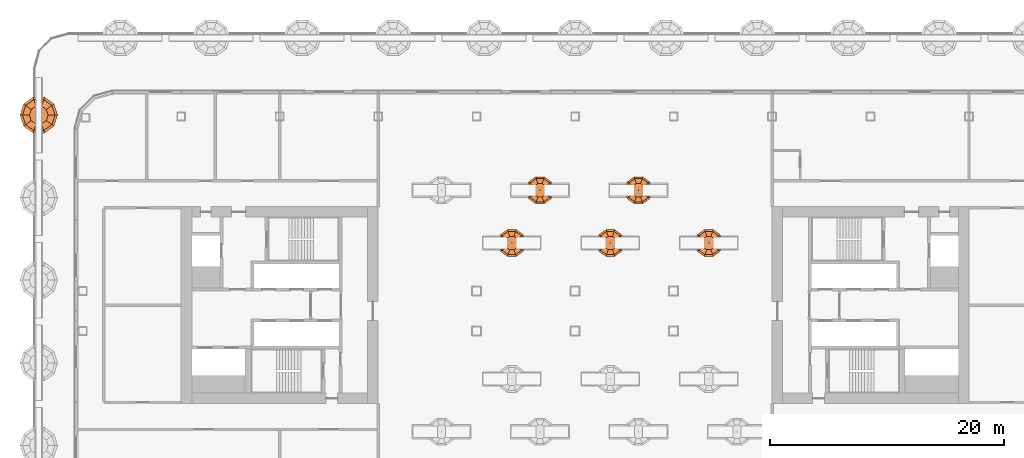
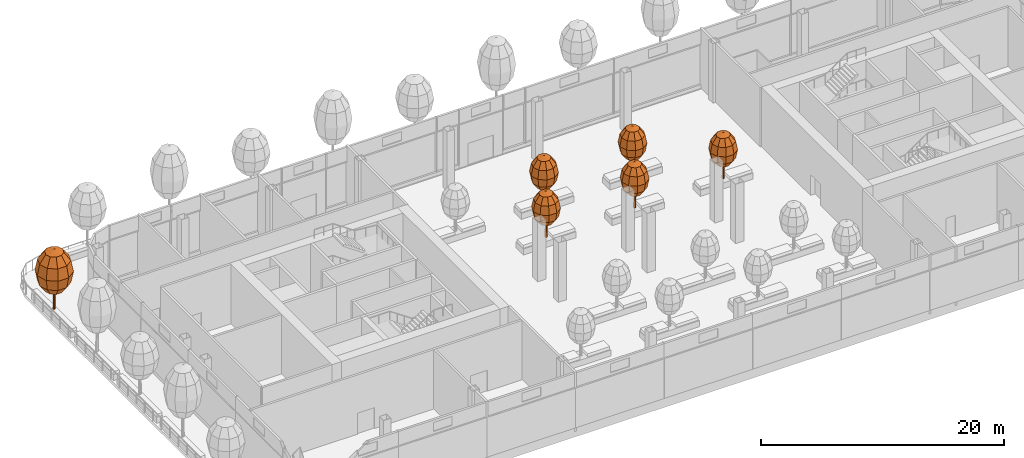
# One storey, part 40 of 43: 6 geographic elements.
"""IFC4 building model written with IfcOpenShell, lengths in metres."""

import ifcopenshell
import ifcopenshell.guid

model = None  # the IFC model being written
_history = None  # IfcOwnerHistory: only IFC2X3 demands one
_inside = {}  # id of a spatial element -> (the spatial element, [elements in it])
_under = {}  # id of a project, library or spatial element -> (it, [spatial elements below it])
_declared = {}  # id of a project -> (the project, [libraries it declares])
_typed = {}  # id of a type object -> (the type object, [elements of that type])
_made_of = {}  # id of a material, layer set ... -> (it, [elements and type objects made of it])


def new_model(schema):
    """Start an empty IFC model of exactly this schema.

    Asked for "IFC4X3", IfcOpenShell would pick the latest addendum, in which some entities
    have other attributes; the version numbers below select the first issue.
    IFC2X3 requires an IfcOwnerHistory on every rooted entity: one is made here for all.
    """
    global model, _history
    if schema == "IFC4X3":
        model = ifcopenshell.file(schema_version=(4, 3, 0, 0))
    else:
        model = ifcopenshell.file(schema=schema)
    _inside.clear()
    _under.clear()
    _declared.clear()
    _typed.clear()
    _made_of.clear()
    _history = None
    if model.schema == "IFC2X3":
        org = make("IfcOrganization", Name="unknown")
        user = make(
            "IfcPersonAndOrganization",
            ThePerson=make("IfcPerson", FamilyName="unknown"),
            TheOrganization=org,
        )
        app = make(
            "IfcApplication",
            ApplicationDeveloper=org,
            Version="unknown",
            ApplicationFullName="unknown",
            ApplicationIdentifier="unknown",
        )
        _history = make(
            "IfcOwnerHistory",
            OwningUser=user,
            OwningApplication=app,
            ChangeAction="ADDED",
            CreationDate=0,
        )
    return model


def make(cls, **values):
    """One entity of the class cls with the attributes given. An attribute that is None is left unset."""
    return model.create_entity(
        cls, **{name: value for name, value in values.items() if value is not None}
    )


def rooted(cls, **values):
    """An entity with a GlobalId (a new one), such as an element, a storey or a relation."""
    return make(cls, GlobalId=ifcopenshell.guid.new(), OwnerHistory=_history, **values)


def si_unit(unit_type, name, prefix=None):
    """IfcSIUnit, for example si_unit("LENGTHUNIT", "METRE", prefix="MILLI")."""
    return make("IfcSIUnit", UnitType=unit_type, Prefix=prefix, Name=name)


def assignment(units):
    """IfcUnitAssignment: the units of a project."""
    return None if units is None else make("IfcUnitAssignment", Units=units)


def point(xyz):
    """IfcCartesianPoint."""
    return None if xyz is None else make("IfcCartesianPoint", Coordinates=xyz)


def direction(xyz):
    """IfcDirection."""
    return None if xyz is None else make("IfcDirection", DirectionRatios=xyz)


def frame(location, z_axis=None, x_axis=None):
    """IfcAxis2Placement3D, a coordinate frame: its origin and axes. An axis left out is left unset."""
    return make(
        "IfcAxis2Placement3D",
        Location=point(location),
        Axis=direction(z_axis),
        RefDirection=direction(x_axis),
    )


def origin():
    """The frame at (0, 0, 0) with its axes left unset."""
    return frame((0.0, 0.0, 0.0))


def place(relative_to, where):
    """IfcLocalPlacement: puts the frame where relative to a parent placement (None: the world)."""
    return make(
        "IfcLocalPlacement", PlacementRelTo=relative_to, RelativePlacement=where
    )


def context(
    kind, dimensions, precision=None, world=None, true_north=None, identifier=None
):
    """IfcGeometricRepresentationContext, for example the 3D "Model" context."""
    return make(
        "IfcGeometricRepresentationContext",
        ContextIdentifier=identifier,
        ContextType=kind,
        CoordinateSpaceDimension=dimensions,
        Precision=precision,
        WorldCoordinateSystem=world,
        TrueNorth=true_north,
    )


def subcontext(parent, identifier, kind, view, scale=None):
    """IfcGeometricRepresentationSubContext, for example "Body" below "Model"."""
    return make(
        "IfcGeometricRepresentationSubContext",
        ContextIdentifier=identifier,
        ContextType=kind,
        ParentContext=parent,
        TargetScale=scale,
        TargetView=view,
    )


def project(units=None, contexts=None):
    """IfcProject with its units and contexts."""
    return rooted(
        "IfcProject",
        Name="project",
        RepresentationContexts=contexts,
        UnitsInContext=assignment(units),
    )


def spatial(cls, under=None, at=None, **own):
    """A site, building, storey or space (cls), placed at a placement, below another one or the project."""
    s = rooted(cls, ObjectPlacement=at, **own)
    if under is not None:
        _under.setdefault(under.id(), (under, []))[1].append(s)
    return s


def point_list(points):
    """IfcCartesianPointList2D or 3D."""
    cls = (
        "IfcCartesianPointList2D" if len(points[0]) == 2 else "IfcCartesianPointList3D"
    )
    return make(cls, CoordList=points)


def triangles(points, corners, closed=None, point_numbers=None):
    """IfcTriangulatedFaceSet: each triangle names its three corners, points numbered from 1."""
    return make(
        "IfcTriangulatedFaceSet",
        Coordinates=point_list(points),
        Closed=closed,
        CoordIndex=corners,
        PnIndex=point_numbers,
    )


def shape(context_of_items, identifier, shape_type, items):
    """IfcShapeRepresentation: the items that make up one representation, for example the "Body"."""
    return make(
        "IfcShapeRepresentation",
        ContextOfItems=context_of_items,
        RepresentationIdentifier=identifier,
        RepresentationType=shape_type,
        Items=items,
    )


def material(Name=None, Category=None):
    """IfcMaterial."""
    return make("IfcMaterial", Name=Name, Category=Category)


def made_of(thing, what):
    """Note that an element or type object is made of a material, layer set ...; save() writes the relation."""
    if what is not None:
        _made_of.setdefault(what.id(), (what, []))[1].append(thing)
    return thing


def type_object(cls, material=None, **own):
    """A type object (cls), such as IfcWallType, which elements share."""
    return made_of(rooted(cls, **own), material)


def element(
    cls,
    number,
    at=None,
    inside=None,
    cuts=None,
    type_object=None,
    material=None,
    context=None,
    identifier="Body",
    shape_type=None,
    held_by="IfcProductDefinitionShape",
    body=None,
    shapes=None,
    **own,
):
    """One element of the class cls, such as IfcWall. Its Tag is "e" and its number.

    at: its placement. inside: the storey or other place that contains it. cuts: it is an
    opening in that element (IfcRelVoidsElement). A single representation is given by context,
    identifier, shape_type and body (its items); several are given by shapes. held_by: the class
    of the entity that holds the representations. save() writes the other relations.
    """
    e = rooted(cls, Tag="e%d" % number, ObjectPlacement=at, **own)
    if body is not None:
        shapes = [shape(context, identifier, shape_type, body)]
    if shapes is not None:
        e.Representation = make(held_by, Representations=shapes)
    if inside is not None:
        _inside.setdefault(inside.id(), (inside, []))[1].append(e)
    if cuts is not None:
        rooted(
            "IfcRelVoidsElement", RelatingBuildingElement=cuts, RelatedOpeningElement=e
        )
    if type_object is not None:
        _typed.setdefault(type_object.id(), (type_object, []))[1].append(e)
    return made_of(e, material)


def aggregate(whole, parts):
    """IfcRelAggregates: a whole, such as a stair, and the parts it consists of."""
    return rooted("IfcRelAggregates", RelatingObject=whole, RelatedObjects=parts)


def save(model, path):
    """Write the relations noted so far, then the file.

    IfcRelAggregates (storeys below a building ...), IfcRelContainedInSpatialStructure (elements
    in a storey), IfcRelDefinesByType, IfcRelAssociatesMaterial and IfcRelDeclares: one each for
    every whole, place, type object, material and project.
    """
    for whole, parts in _under.values():
        aggregate(whole, parts)
    for where, things in _inside.values():
        rooted(
            "IfcRelContainedInSpatialStructure",
            RelatedElements=things,
            RelatingStructure=where,
        )
    for kind, things in _typed.values():
        rooted("IfcRelDefinesByType", RelatedObjects=things, RelatingType=kind)
    for what, things in _made_of.values():
        rooted("IfcRelAssociatesMaterial", RelatedObjects=things, RelatingMaterial=what)
    for by, libraries in _declared.values():
        rooted("IfcRelDeclares", RelatingContext=by, RelatedDefinitions=libraries)
    model.write(path)


model = new_model("IFC4")

# Units and contexts
model_context = context("Model", 3, precision=1e-05, world=origin(), true_north=direction((0.0, 1.0)))
body_context = subcontext(model_context, "Body", "Model", "MODEL_VIEW")
ifc_project = project(units=[si_unit("LENGTHUNIT", "METRE"), si_unit("AREAUNIT", "SQUARE_METRE"), si_unit("VOLUMEUNIT", "CUBIC_METRE"), si_unit("PLANEANGLEUNIT", "RADIAN"), si_unit("MASSUNIT", "GRAM", prefix="KILO")], contexts=[model_context])

# Site, building, storey
site_placement = place(None, origin())
site = spatial("IfcSite", under=ifc_project, at=site_placement, CompositionType="ELEMENT")
building_placement = place(site_placement, origin())
building = spatial("IfcBuilding", under=site, at=building_placement, Name="Hakoniwa Tower and Hamabe Station Hall", CompositionType="ELEMENT")
storey_placement = place(building_placement, frame((0.0, 0.0, 124.60009765625)))
storey = spatial("IfcBuildingStorey", under=building, at=storey_placement, Name="L35", CompositionType="ELEMENT", Elevation=124.60009765625)

# Geographic elements
ifc_material_1 = material(Name="Tree foliage")
geographic_element_type_1 = type_object("IfcGeographicElementType", Name="Camellia 4.6 m", PredefinedType="USERDEFINED", material=ifc_material_1)
geographic_element_1_placement = place(storey_placement, frame((-5.39990234375, 5.300048828125, 0.599853515625)))
element("IfcGeographicElement", 1, at=geographic_element_1_placement, inside=storey, type_object=geographic_element_type_1, Name="Camellia 4-6 m", ObjectType="TREE", PredefinedType="USERDEFINED", context=body_context, shape_type="Tessellation", body=[
    triangles([(0.125, 0.0, 0.0), (0.08837890625, 0.08837890625, 0.0), (0.0, 0.125, 0.0), (-0.08837890625, 0.08837890625, 0.0), (-0.125, 0.0, 0.0), (-0.08837890625, -0.08837890625, 0.0), (0.0, -0.125, 0.0), (0.08837890625, -0.08837890625, 0.0), (0.074951171875, 0.0, 2.778564453125), (0.052978515625, 0.052978515625, 2.778564453125), (0.0, 0.074951171875, 2.778564453125), (-0.052978515625, 0.052978515625, 2.778564453125), (-0.074951171875, 0.0, 2.778564453125), (-0.052978515625, -0.052978515625, 2.778564453125), (0.0, -0.074951171875, 2.778564453125), (0.052978515625, -0.052978515625, 2.778564453125), (0.0, 0.0, 0.0), (0.0, 0.0, 2.778564453125)], [[1, 2, 10], [1, 10, 9], [17, 2, 1], [18, 9, 10], [2, 3, 11], [2, 11, 10], [17, 3, 2], [18, 10, 11], [3, 4, 12], [3, 12, 11], [17, 4, 3], [18, 11, 12], [4, 5, 13], [4, 13, 12], [17, 5, 4], [18, 12, 13], [5, 6, 14], [5, 14, 13], [17, 6, 5], [18, 13, 14], [6, 7, 15], [6, 15, 14], [17, 7, 6], [18, 14, 15], [7, 8, 16], [7, 16, 15], [17, 8, 7], [18, 15, 16], [8, 1, 9], [8, 9, 16], [17, 1, 8], [18, 16, 9]], closed=True),
    triangles([(0.0, 0.0, 1.2880859375), (0.599853515625, 0.0, 1.510009765625), (0.4853515625, 0.3525390625, 1.510009765625), (0.185302734375, 0.570556640625, 1.510009765625), (-0.185302734375, 0.570556640625, 1.510009765625), (-0.4853515625, 0.3525390625, 1.510009765625), (-0.599853515625, 0.0, 1.510009765625), (-0.4853515625, -0.3525390625, 1.510009765625), (-0.185302734375, -0.570556640625, 1.510009765625), (0.185302734375, -0.570556640625, 1.510009765625), (0.4853515625, -0.3525390625, 1.510009765625), (1.039306640625, 0.0, 2.115966796875), (0.8408203125, 0.61083984375, 2.115966796875), (0.321044921875, 0.98828125, 2.115966796875), (-0.321044921875, 0.98828125, 2.115966796875), (-0.8408203125, 0.61083984375, 2.115966796875), (-1.039306640625, 0.0, 2.115966796875), (-0.8408203125, -0.61083984375, 2.115966796875), (-0.321044921875, -0.98828125, 2.115966796875), (0.321044921875, -0.98828125, 2.115966796875), (0.8408203125, -0.61083984375, 2.115966796875), (1.199951171875, 0.0, 2.944091796875), (0.970703125, 0.705322265625, 2.944091796875), (0.370849609375, 1.14111328125, 2.944091796875), (-0.370849609375, 1.14111328125, 2.944091796875), (-0.970703125, 0.705322265625, 2.944091796875), (-1.199951171875, 0.0, 2.944091796875), (-0.970703125, -0.705322265625, 2.944091796875), (-0.370849609375, -1.14111328125, 2.944091796875), (0.370849609375, -1.14111328125, 2.944091796875), (0.970703125, -0.705322265625, 2.944091796875), (1.039306640625, 0.0, 3.77197265625), (0.8408203125, 0.61083984375, 3.77197265625), (0.321044921875, 0.98828125, 3.77197265625), (-0.321044921875, 0.98828125, 3.77197265625), (-0.8408203125, 0.61083984375, 3.77197265625), (-1.039306640625, 0.0, 3.77197265625), (-0.8408203125, -0.61083984375, 3.77197265625), (-0.321044921875, -0.98828125, 3.77197265625), (0.321044921875, -0.98828125, 3.77197265625), (0.8408203125, -0.61083984375, 3.77197265625), (0.599853515625, 0.0, 4.378173828125), (0.4853515625, 0.3525390625, 4.378173828125), (0.185302734375, 0.570556640625, 4.378173828125), (-0.185302734375, 0.570556640625, 4.378173828125), (-0.4853515625, 0.3525390625, 4.378173828125), (-0.599853515625, 0.0, 4.378173828125), (-0.4853515625, -0.3525390625, 4.378173828125), (-0.185302734375, -0.570556640625, 4.378173828125), (0.185302734375, -0.570556640625, 4.378173828125), (0.4853515625, -0.3525390625, 4.378173828125), (0.0, 0.0, 4.60009765625)], [[1, 3, 2], [1, 4, 3], [1, 5, 4], [1, 6, 5], [1, 7, 6], [1, 8, 7], [1, 9, 8], [1, 10, 9], [1, 11, 10], [1, 2, 11], [2, 3, 13], [2, 13, 12], [3, 4, 14], [3, 14, 13], [4, 5, 15], [4, 15, 14], [5, 6, 16], [5, 16, 15], [6, 7, 17], [6, 17, 16], [7, 8, 18], [7, 18, 17], [8, 9, 19], [8, 19, 18], [9, 10, 20], [9, 20, 19], [10, 11, 21], [10, 21, 20], [11, 2, 12], [11, 12, 21], [12, 13, 23], [12, 23, 22], [13, 14, 24], [13, 24, 23], [14, 15, 25], [14, 25, 24], [15, 16, 26], [15, 26, 25], [16, 17, 27], [16, 27, 26], [17, 18, 28], [17, 28, 27], [18, 19, 29], [18, 29, 28], [19, 20, 30], [19, 30, 29], [20, 21, 31], [20, 31, 30], [21, 12, 22], [21, 22, 31], [22, 23, 33], [22, 33, 32], [23, 24, 34], [23, 34, 33], [24, 25, 35], [24, 35, 34], [25, 26, 36], [25, 36, 35], [26, 27, 37], [26, 37, 36], [27, 28, 38], [27, 38, 37], [28, 29, 39], [28, 39, 38], [29, 30, 40], [29, 40, 39], [30, 31, 41], [30, 41, 40], [31, 22, 32], [31, 32, 41], [32, 33, 43], [32, 43, 42], [33, 34, 44], [33, 44, 43], [34, 35, 45], [34, 45, 44], [35, 36, 46], [35, 46, 45], [36, 37, 47], [36, 47, 46], [37, 38, 48], [37, 48, 47], [38, 39, 49], [38, 49, 48], [39, 40, 50], [39, 50, 49], [40, 41, 51], [40, 51, 50], [41, 32, 42], [41, 42, 51], [52, 42, 43], [52, 43, 44], [52, 44, 45], [52, 45, 46], [52, 46, 47], [52, 47, 48], [52, 48, 49], [52, 49, 50], [52, 50, 51], [52, 51, 42]], closed=True),
])
geographic_element_2_placement = place(storey_placement, frame((3.0, 5.300048828125, 0.599853515625)))
element("IfcGeographicElement", 2, at=geographic_element_2_placement, inside=storey, type_object=geographic_element_type_1, Name="Camellia 4-6 m", ObjectType="TREE", PredefinedType="USERDEFINED", context=body_context, shape_type="Tessellation", body=[
    triangles([(0.125, 0.0, 0.0), (0.08837890625, 0.08837890625, 0.0), (0.0, 0.125, 0.0), (-0.08837890625, 0.08837890625, 0.0), (-0.125, 0.0, 0.0), (-0.08837890625, -0.08837890625, 0.0), (0.0, -0.125, 0.0), (0.08837890625, -0.08837890625, 0.0), (0.074951171875, 0.0, 2.778564453125), (0.052978515625, 0.052978515625, 2.778564453125), (0.0, 0.074951171875, 2.778564453125), (-0.052978515625, 0.052978515625, 2.778564453125), (-0.074951171875, 0.0, 2.778564453125), (-0.052978515625, -0.052978515625, 2.778564453125), (0.0, -0.074951171875, 2.778564453125), (0.052978515625, -0.052978515625, 2.778564453125), (0.0, 0.0, 0.0), (0.0, 0.0, 2.778564453125)], [[1, 2, 10], [1, 10, 9], [17, 2, 1], [18, 9, 10], [2, 3, 11], [2, 11, 10], [17, 3, 2], [18, 10, 11], [3, 4, 12], [3, 12, 11], [17, 4, 3], [18, 11, 12], [4, 5, 13], [4, 13, 12], [17, 5, 4], [18, 12, 13], [5, 6, 14], [5, 14, 13], [17, 6, 5], [18, 13, 14], [6, 7, 15], [6, 15, 14], [17, 7, 6], [18, 14, 15], [7, 8, 16], [7, 16, 15], [17, 8, 7], [18, 15, 16], [8, 1, 9], [8, 9, 16], [17, 1, 8], [18, 16, 9]], closed=True),
    triangles([(0.0, 0.0, 1.2880859375), (0.599853515625, 0.0, 1.510009765625), (0.4853515625, 0.3525390625, 1.510009765625), (0.185302734375, 0.570556640625, 1.510009765625), (-0.185302734375, 0.570556640625, 1.510009765625), (-0.4853515625, 0.3525390625, 1.510009765625), (-0.599853515625, 0.0, 1.510009765625), (-0.4853515625, -0.3525390625, 1.510009765625), (-0.185302734375, -0.570556640625, 1.510009765625), (0.185302734375, -0.570556640625, 1.510009765625), (0.4853515625, -0.3525390625, 1.510009765625), (1.039306640625, 0.0, 2.115966796875), (0.8408203125, 0.61083984375, 2.115966796875), (0.321044921875, 0.98828125, 2.115966796875), (-0.321044921875, 0.98828125, 2.115966796875), (-0.8408203125, 0.61083984375, 2.115966796875), (-1.039306640625, 0.0, 2.115966796875), (-0.8408203125, -0.61083984375, 2.115966796875), (-0.321044921875, -0.98828125, 2.115966796875), (0.321044921875, -0.98828125, 2.115966796875), (0.8408203125, -0.61083984375, 2.115966796875), (1.199951171875, 0.0, 2.944091796875), (0.970703125, 0.705322265625, 2.944091796875), (0.370849609375, 1.14111328125, 2.944091796875), (-0.370849609375, 1.14111328125, 2.944091796875), (-0.970703125, 0.705322265625, 2.944091796875), (-1.199951171875, 0.0, 2.944091796875), (-0.970703125, -0.705322265625, 2.944091796875), (-0.370849609375, -1.14111328125, 2.944091796875), (0.370849609375, -1.14111328125, 2.944091796875), (0.970703125, -0.705322265625, 2.944091796875), (1.039306640625, 0.0, 3.77197265625), (0.8408203125, 0.61083984375, 3.77197265625), (0.321044921875, 0.98828125, 3.77197265625), (-0.321044921875, 0.98828125, 3.77197265625), (-0.8408203125, 0.61083984375, 3.77197265625), (-1.039306640625, 0.0, 3.77197265625), (-0.8408203125, -0.61083984375, 3.77197265625), (-0.321044921875, -0.98828125, 3.77197265625), (0.321044921875, -0.98828125, 3.77197265625), (0.8408203125, -0.61083984375, 3.77197265625), (0.599853515625, 0.0, 4.378173828125), (0.4853515625, 0.3525390625, 4.378173828125), (0.185302734375, 0.570556640625, 4.378173828125), (-0.185302734375, 0.570556640625, 4.378173828125), (-0.4853515625, 0.3525390625, 4.378173828125), (-0.599853515625, 0.0, 4.378173828125), (-0.4853515625, -0.3525390625, 4.378173828125), (-0.185302734375, -0.570556640625, 4.378173828125), (0.185302734375, -0.570556640625, 4.378173828125), (0.4853515625, -0.3525390625, 4.378173828125), (0.0, 0.0, 4.60009765625)], [[1, 3, 2], [1, 4, 3], [1, 5, 4], [1, 6, 5], [1, 7, 6], [1, 8, 7], [1, 9, 8], [1, 10, 9], [1, 11, 10], [1, 2, 11], [2, 3, 13], [2, 13, 12], [3, 4, 14], [3, 14, 13], [4, 5, 15], [4, 15, 14], [5, 6, 16], [5, 16, 15], [6, 7, 17], [6, 17, 16], [7, 8, 18], [7, 18, 17], [8, 9, 19], [8, 19, 18], [9, 10, 20], [9, 20, 19], [10, 11, 21], [10, 21, 20], [11, 2, 12], [11, 12, 21], [12, 13, 23], [12, 23, 22], [13, 14, 24], [13, 24, 23], [14, 15, 25], [14, 25, 24], [15, 16, 26], [15, 26, 25], [16, 17, 27], [16, 27, 26], [17, 18, 28], [17, 28, 27], [18, 19, 29], [18, 29, 28], [19, 20, 30], [19, 30, 29], [20, 21, 31], [20, 31, 30], [21, 12, 22], [21, 22, 31], [22, 23, 33], [22, 33, 32], [23, 24, 34], [23, 34, 33], [24, 25, 35], [24, 35, 34], [25, 26, 36], [25, 36, 35], [26, 27, 37], [26, 37, 36], [27, 28, 38], [27, 38, 37], [28, 29, 39], [28, 39, 38], [29, 30, 40], [29, 40, 39], [30, 31, 41], [30, 41, 40], [31, 22, 32], [31, 32, 41], [32, 33, 43], [32, 43, 42], [33, 34, 44], [33, 44, 43], [34, 35, 45], [34, 45, 44], [35, 36, 46], [35, 46, 45], [36, 37, 47], [36, 47, 46], [37, 38, 48], [37, 48, 47], [38, 39, 49], [38, 49, 48], [39, 40, 50], [39, 50, 49], [40, 41, 51], [40, 51, 50], [41, 32, 42], [41, 42, 51], [52, 42, 43], [52, 43, 44], [52, 44, 45], [52, 45, 46], [52, 46, 47], [52, 47, 48], [52, 48, 49], [52, 49, 50], [52, 50, 51], [52, 51, 42]], closed=True),
])
geographic_element_3_placement = place(storey_placement, frame((11.39990234375, 5.300048828125, 0.599853515625)))
element("IfcGeographicElement", 3, at=geographic_element_3_placement, inside=storey, type_object=geographic_element_type_1, Name="Camellia 4-6 m", ObjectType="TREE", PredefinedType="USERDEFINED", context=body_context, shape_type="Tessellation", body=[
    triangles([(0.125, 0.0, 0.0), (0.08837890625, 0.08837890625, 0.0), (0.0, 0.125, 0.0), (-0.08837890625, 0.08837890625, 0.0), (-0.125, 0.0, 0.0), (-0.08837890625, -0.08837890625, 0.0), (0.0, -0.125, 0.0), (0.08837890625, -0.08837890625, 0.0), (0.074951171875, 0.0, 2.778564453125), (0.052978515625, 0.052978515625, 2.778564453125), (0.0, 0.074951171875, 2.778564453125), (-0.052978515625, 0.052978515625, 2.778564453125), (-0.074951171875, 0.0, 2.778564453125), (-0.052978515625, -0.052978515625, 2.778564453125), (0.0, -0.074951171875, 2.778564453125), (0.052978515625, -0.052978515625, 2.778564453125), (0.0, 0.0, 0.0), (0.0, 0.0, 2.778564453125)], [[1, 2, 10], [1, 10, 9], [17, 2, 1], [18, 9, 10], [2, 3, 11], [2, 11, 10], [17, 3, 2], [18, 10, 11], [3, 4, 12], [3, 12, 11], [17, 4, 3], [18, 11, 12], [4, 5, 13], [4, 13, 12], [17, 5, 4], [18, 12, 13], [5, 6, 14], [5, 14, 13], [17, 6, 5], [18, 13, 14], [6, 7, 15], [6, 15, 14], [17, 7, 6], [18, 14, 15], [7, 8, 16], [7, 16, 15], [17, 8, 7], [18, 15, 16], [8, 1, 9], [8, 9, 16], [17, 1, 8], [18, 16, 9]], closed=True),
    triangles([(0.0, 0.0, 1.2880859375), (0.599853515625, 0.0, 1.510009765625), (0.4853515625, 0.3525390625, 1.510009765625), (0.185302734375, 0.570556640625, 1.510009765625), (-0.185302734375, 0.570556640625, 1.510009765625), (-0.4853515625, 0.3525390625, 1.510009765625), (-0.599853515625, 0.0, 1.510009765625), (-0.4853515625, -0.3525390625, 1.510009765625), (-0.185302734375, -0.570556640625, 1.510009765625), (0.185302734375, -0.570556640625, 1.510009765625), (0.4853515625, -0.3525390625, 1.510009765625), (1.039306640625, 0.0, 2.115966796875), (0.8408203125, 0.61083984375, 2.115966796875), (0.321044921875, 0.98828125, 2.115966796875), (-0.321044921875, 0.98828125, 2.115966796875), (-0.8408203125, 0.61083984375, 2.115966796875), (-1.039306640625, 0.0, 2.115966796875), (-0.8408203125, -0.61083984375, 2.115966796875), (-0.321044921875, -0.98828125, 2.115966796875), (0.321044921875, -0.98828125, 2.115966796875), (0.8408203125, -0.61083984375, 2.115966796875), (1.199951171875, 0.0, 2.944091796875), (0.970703125, 0.705322265625, 2.944091796875), (0.370849609375, 1.14111328125, 2.944091796875), (-0.370849609375, 1.14111328125, 2.944091796875), (-0.970703125, 0.705322265625, 2.944091796875), (-1.199951171875, 0.0, 2.944091796875), (-0.970703125, -0.705322265625, 2.944091796875), (-0.370849609375, -1.14111328125, 2.944091796875), (0.370849609375, -1.14111328125, 2.944091796875), (0.970703125, -0.705322265625, 2.944091796875), (1.039306640625, 0.0, 3.77197265625), (0.8408203125, 0.61083984375, 3.77197265625), (0.321044921875, 0.98828125, 3.77197265625), (-0.321044921875, 0.98828125, 3.77197265625), (-0.8408203125, 0.61083984375, 3.77197265625), (-1.039306640625, 0.0, 3.77197265625), (-0.8408203125, -0.61083984375, 3.77197265625), (-0.321044921875, -0.98828125, 3.77197265625), (0.321044921875, -0.98828125, 3.77197265625), (0.8408203125, -0.61083984375, 3.77197265625), (0.599853515625, 0.0, 4.378173828125), (0.4853515625, 0.3525390625, 4.378173828125), (0.185302734375, 0.570556640625, 4.378173828125), (-0.185302734375, 0.570556640625, 4.378173828125), (-0.4853515625, 0.3525390625, 4.378173828125), (-0.599853515625, 0.0, 4.378173828125), (-0.4853515625, -0.3525390625, 4.378173828125), (-0.185302734375, -0.570556640625, 4.378173828125), (0.185302734375, -0.570556640625, 4.378173828125), (0.4853515625, -0.3525390625, 4.378173828125), (0.0, 0.0, 4.60009765625)], [[1, 3, 2], [1, 4, 3], [1, 5, 4], [1, 6, 5], [1, 7, 6], [1, 8, 7], [1, 9, 8], [1, 10, 9], [1, 11, 10], [1, 2, 11], [2, 3, 13], [2, 13, 12], [3, 4, 14], [3, 14, 13], [4, 5, 15], [4, 15, 14], [5, 6, 16], [5, 16, 15], [6, 7, 17], [6, 17, 16], [7, 8, 18], [7, 18, 17], [8, 9, 19], [8, 19, 18], [9, 10, 20], [9, 20, 19], [10, 11, 21], [10, 21, 20], [11, 2, 12], [11, 12, 21], [12, 13, 23], [12, 23, 22], [13, 14, 24], [13, 24, 23], [14, 15, 25], [14, 25, 24], [15, 16, 26], [15, 26, 25], [16, 17, 27], [16, 27, 26], [17, 18, 28], [17, 28, 27], [18, 19, 29], [18, 29, 28], [19, 20, 30], [19, 30, 29], [20, 21, 31], [20, 31, 30], [21, 12, 22], [21, 22, 31], [22, 23, 33], [22, 33, 32], [23, 24, 34], [23, 34, 33], [24, 25, 35], [24, 35, 34], [25, 26, 36], [25, 36, 35], [26, 27, 37], [26, 37, 36], [27, 28, 38], [27, 38, 37], [28, 29, 39], [28, 39, 38], [29, 30, 40], [29, 40, 39], [30, 31, 41], [30, 41, 40], [31, 22, 32], [31, 32, 41], [32, 33, 43], [32, 43, 42], [33, 34, 44], [33, 44, 43], [34, 35, 45], [34, 45, 44], [35, 36, 46], [35, 46, 45], [36, 37, 47], [36, 47, 46], [37, 38, 48], [37, 48, 47], [38, 39, 49], [38, 49, 48], [39, 40, 50], [39, 50, 49], [40, 41, 51], [40, 51, 50], [41, 32, 42], [41, 42, 51], [52, 42, 43], [52, 43, 44], [52, 44, 45], [52, 45, 46], [52, 46, 47], [52, 47, 48], [52, 48, 49], [52, 49, 50], [52, 50, 51], [52, 51, 42]], closed=True),
])
geographic_element_4_placement = place(storey_placement, frame((-3.0, 9.800048828125, 0.599853515625)))
element("IfcGeographicElement", 4, at=geographic_element_4_placement, inside=storey, type_object=geographic_element_type_1, Name="Camellia 4-6 m", ObjectType="TREE", PredefinedType="USERDEFINED", context=body_context, shape_type="Tessellation", body=[
    triangles([(0.125, 0.0, 0.0), (0.08837890625, 0.08837890625, 0.0), (0.0, 0.125, 0.0), (-0.08837890625, 0.08837890625, 0.0), (-0.125, 0.0, 0.0), (-0.08837890625, -0.08837890625, 0.0), (0.0, -0.125, 0.0), (0.08837890625, -0.08837890625, 0.0), (0.074951171875, 0.0, 2.778564453125), (0.052978515625, 0.052978515625, 2.778564453125), (0.0, 0.074951171875, 2.778564453125), (-0.052978515625, 0.052978515625, 2.778564453125), (-0.074951171875, 0.0, 2.778564453125), (-0.052978515625, -0.052978515625, 2.778564453125), (0.0, -0.074951171875, 2.778564453125), (0.052978515625, -0.052978515625, 2.778564453125), (0.0, 0.0, 0.0), (0.0, 0.0, 2.778564453125)], [[1, 2, 10], [1, 10, 9], [17, 2, 1], [18, 9, 10], [2, 3, 11], [2, 11, 10], [17, 3, 2], [18, 10, 11], [3, 4, 12], [3, 12, 11], [17, 4, 3], [18, 11, 12], [4, 5, 13], [4, 13, 12], [17, 5, 4], [18, 12, 13], [5, 6, 14], [5, 14, 13], [17, 6, 5], [18, 13, 14], [6, 7, 15], [6, 15, 14], [17, 7, 6], [18, 14, 15], [7, 8, 16], [7, 16, 15], [17, 8, 7], [18, 15, 16], [8, 1, 9], [8, 9, 16], [17, 1, 8], [18, 16, 9]], closed=True),
    triangles([(0.0, 0.0, 1.2880859375), (0.599853515625, 0.0, 1.510009765625), (0.4853515625, 0.3525390625, 1.510009765625), (0.185302734375, 0.570556640625, 1.510009765625), (-0.185302734375, 0.570556640625, 1.510009765625), (-0.4853515625, 0.3525390625, 1.510009765625), (-0.599853515625, 0.0, 1.510009765625), (-0.4853515625, -0.3525390625, 1.510009765625), (-0.185302734375, -0.570556640625, 1.510009765625), (0.185302734375, -0.570556640625, 1.510009765625), (0.4853515625, -0.3525390625, 1.510009765625), (1.039306640625, 0.0, 2.115966796875), (0.8408203125, 0.61083984375, 2.115966796875), (0.321044921875, 0.98828125, 2.115966796875), (-0.321044921875, 0.98828125, 2.115966796875), (-0.8408203125, 0.61083984375, 2.115966796875), (-1.039306640625, 0.0, 2.115966796875), (-0.8408203125, -0.61083984375, 2.115966796875), (-0.321044921875, -0.98828125, 2.115966796875), (0.321044921875, -0.98828125, 2.115966796875), (0.8408203125, -0.61083984375, 2.115966796875), (1.199951171875, 0.0, 2.944091796875), (0.970703125, 0.705322265625, 2.944091796875), (0.370849609375, 1.14111328125, 2.944091796875), (-0.370849609375, 1.14111328125, 2.944091796875), (-0.970703125, 0.705322265625, 2.944091796875), (-1.199951171875, 0.0, 2.944091796875), (-0.970703125, -0.705322265625, 2.944091796875), (-0.370849609375, -1.14111328125, 2.944091796875), (0.370849609375, -1.14111328125, 2.944091796875), (0.970703125, -0.705322265625, 2.944091796875), (1.039306640625, 0.0, 3.77197265625), (0.8408203125, 0.61083984375, 3.77197265625), (0.321044921875, 0.98828125, 3.77197265625), (-0.321044921875, 0.98828125, 3.77197265625), (-0.8408203125, 0.61083984375, 3.77197265625), (-1.039306640625, 0.0, 3.77197265625), (-0.8408203125, -0.61083984375, 3.77197265625), (-0.321044921875, -0.98828125, 3.77197265625), (0.321044921875, -0.98828125, 3.77197265625), (0.8408203125, -0.61083984375, 3.77197265625), (0.599853515625, 0.0, 4.378173828125), (0.4853515625, 0.3525390625, 4.378173828125), (0.185302734375, 0.570556640625, 4.378173828125), (-0.185302734375, 0.570556640625, 4.378173828125), (-0.4853515625, 0.3525390625, 4.378173828125), (-0.599853515625, 0.0, 4.378173828125), (-0.4853515625, -0.3525390625, 4.378173828125), (-0.185302734375, -0.570556640625, 4.378173828125), (0.185302734375, -0.570556640625, 4.378173828125), (0.4853515625, -0.3525390625, 4.378173828125), (0.0, 0.0, 4.60009765625)], [[1, 3, 2], [1, 4, 3], [1, 5, 4], [1, 6, 5], [1, 7, 6], [1, 8, 7], [1, 9, 8], [1, 10, 9], [1, 11, 10], [1, 2, 11], [2, 3, 13], [2, 13, 12], [3, 4, 14], [3, 14, 13], [4, 5, 15], [4, 15, 14], [5, 6, 16], [5, 16, 15], [6, 7, 17], [6, 17, 16], [7, 8, 18], [7, 18, 17], [8, 9, 19], [8, 19, 18], [9, 10, 20], [9, 20, 19], [10, 11, 21], [10, 21, 20], [11, 2, 12], [11, 12, 21], [12, 13, 23], [12, 23, 22], [13, 14, 24], [13, 24, 23], [14, 15, 25], [14, 25, 24], [15, 16, 26], [15, 26, 25], [16, 17, 27], [16, 27, 26], [17, 18, 28], [17, 28, 27], [18, 19, 29], [18, 29, 28], [19, 20, 30], [19, 30, 29], [20, 21, 31], [20, 31, 30], [21, 12, 22], [21, 22, 31], [22, 23, 33], [22, 33, 32], [23, 24, 34], [23, 34, 33], [24, 25, 35], [24, 35, 34], [25, 26, 36], [25, 36, 35], [26, 27, 37], [26, 37, 36], [27, 28, 38], [27, 38, 37], [28, 29, 39], [28, 39, 38], [29, 30, 40], [29, 40, 39], [30, 31, 41], [30, 41, 40], [31, 22, 32], [31, 32, 41], [32, 33, 43], [32, 43, 42], [33, 34, 44], [33, 44, 43], [34, 35, 45], [34, 45, 44], [35, 36, 46], [35, 46, 45], [36, 37, 47], [36, 47, 46], [37, 38, 48], [37, 48, 47], [38, 39, 49], [38, 49, 48], [39, 40, 50], [39, 50, 49], [40, 41, 51], [40, 51, 50], [41, 32, 42], [41, 42, 51], [52, 42, 43], [52, 43, 44], [52, 44, 45], [52, 45, 46], [52, 46, 47], [52, 47, 48], [52, 48, 49], [52, 49, 50], [52, 50, 51], [52, 51, 42]], closed=True),
])
geographic_element_5_placement = place(storey_placement, frame((5.39990234375, 9.800048828125, 0.599853515625)))
element("IfcGeographicElement", 5, at=geographic_element_5_placement, inside=storey, type_object=geographic_element_type_1, Name="Camellia 4-6 m", ObjectType="TREE", PredefinedType="USERDEFINED", context=body_context, shape_type="Tessellation", body=[
    triangles([(0.125, 0.0, 0.0), (0.08837890625, 0.08837890625, 0.0), (0.0, 0.125, 0.0), (-0.08837890625, 0.08837890625, 0.0), (-0.125, 0.0, 0.0), (-0.08837890625, -0.08837890625, 0.0), (0.0, -0.125, 0.0), (0.08837890625, -0.08837890625, 0.0), (0.074951171875, 0.0, 2.778564453125), (0.052978515625, 0.052978515625, 2.778564453125), (0.0, 0.074951171875, 2.778564453125), (-0.052978515625, 0.052978515625, 2.778564453125), (-0.074951171875, 0.0, 2.778564453125), (-0.052978515625, -0.052978515625, 2.778564453125), (0.0, -0.074951171875, 2.778564453125), (0.052978515625, -0.052978515625, 2.778564453125), (0.0, 0.0, 0.0), (0.0, 0.0, 2.778564453125)], [[1, 2, 10], [1, 10, 9], [17, 2, 1], [18, 9, 10], [2, 3, 11], [2, 11, 10], [17, 3, 2], [18, 10, 11], [3, 4, 12], [3, 12, 11], [17, 4, 3], [18, 11, 12], [4, 5, 13], [4, 13, 12], [17, 5, 4], [18, 12, 13], [5, 6, 14], [5, 14, 13], [17, 6, 5], [18, 13, 14], [6, 7, 15], [6, 15, 14], [17, 7, 6], [18, 14, 15], [7, 8, 16], [7, 16, 15], [17, 8, 7], [18, 15, 16], [8, 1, 9], [8, 9, 16], [17, 1, 8], [18, 16, 9]], closed=True),
    triangles([(0.0, 0.0, 1.2880859375), (0.599853515625, 0.0, 1.510009765625), (0.4853515625, 0.3525390625, 1.510009765625), (0.185302734375, 0.570556640625, 1.510009765625), (-0.185302734375, 0.570556640625, 1.510009765625), (-0.4853515625, 0.3525390625, 1.510009765625), (-0.599853515625, 0.0, 1.510009765625), (-0.4853515625, -0.3525390625, 1.510009765625), (-0.185302734375, -0.570556640625, 1.510009765625), (0.185302734375, -0.570556640625, 1.510009765625), (0.4853515625, -0.3525390625, 1.510009765625), (1.039306640625, 0.0, 2.115966796875), (0.8408203125, 0.61083984375, 2.115966796875), (0.321044921875, 0.98828125, 2.115966796875), (-0.321044921875, 0.98828125, 2.115966796875), (-0.8408203125, 0.61083984375, 2.115966796875), (-1.039306640625, 0.0, 2.115966796875), (-0.8408203125, -0.61083984375, 2.115966796875), (-0.321044921875, -0.98828125, 2.115966796875), (0.321044921875, -0.98828125, 2.115966796875), (0.8408203125, -0.61083984375, 2.115966796875), (1.199951171875, 0.0, 2.944091796875), (0.970703125, 0.705322265625, 2.944091796875), (0.370849609375, 1.14111328125, 2.944091796875), (-0.370849609375, 1.14111328125, 2.944091796875), (-0.970703125, 0.705322265625, 2.944091796875), (-1.199951171875, 0.0, 2.944091796875), (-0.970703125, -0.705322265625, 2.944091796875), (-0.370849609375, -1.14111328125, 2.944091796875), (0.370849609375, -1.14111328125, 2.944091796875), (0.970703125, -0.705322265625, 2.944091796875), (1.039306640625, 0.0, 3.77197265625), (0.8408203125, 0.61083984375, 3.77197265625), (0.321044921875, 0.98828125, 3.77197265625), (-0.321044921875, 0.98828125, 3.77197265625), (-0.8408203125, 0.61083984375, 3.77197265625), (-1.039306640625, 0.0, 3.77197265625), (-0.8408203125, -0.61083984375, 3.77197265625), (-0.321044921875, -0.98828125, 3.77197265625), (0.321044921875, -0.98828125, 3.77197265625), (0.8408203125, -0.61083984375, 3.77197265625), (0.599853515625, 0.0, 4.378173828125), (0.4853515625, 0.3525390625, 4.378173828125), (0.185302734375, 0.570556640625, 4.378173828125), (-0.185302734375, 0.570556640625, 4.378173828125), (-0.4853515625, 0.3525390625, 4.378173828125), (-0.599853515625, 0.0, 4.378173828125), (-0.4853515625, -0.3525390625, 4.378173828125), (-0.185302734375, -0.570556640625, 4.378173828125), (0.185302734375, -0.570556640625, 4.378173828125), (0.4853515625, -0.3525390625, 4.378173828125), (0.0, 0.0, 4.60009765625)], [[1, 3, 2], [1, 4, 3], [1, 5, 4], [1, 6, 5], [1, 7, 6], [1, 8, 7], [1, 9, 8], [1, 10, 9], [1, 11, 10], [1, 2, 11], [2, 3, 13], [2, 13, 12], [3, 4, 14], [3, 14, 13], [4, 5, 15], [4, 15, 14], [5, 6, 16], [5, 16, 15], [6, 7, 17], [6, 17, 16], [7, 8, 18], [7, 18, 17], [8, 9, 19], [8, 19, 18], [9, 10, 20], [9, 20, 19], [10, 11, 21], [10, 21, 20], [11, 2, 12], [11, 12, 21], [12, 13, 23], [12, 23, 22], [13, 14, 24], [13, 24, 23], [14, 15, 25], [14, 25, 24], [15, 16, 26], [15, 26, 25], [16, 17, 27], [16, 27, 26], [17, 18, 28], [17, 28, 27], [18, 19, 29], [18, 29, 28], [19, 20, 30], [19, 30, 29], [20, 21, 31], [20, 31, 30], [21, 12, 22], [21, 22, 31], [22, 23, 33], [22, 33, 32], [23, 24, 34], [23, 34, 33], [24, 25, 35], [24, 35, 34], [25, 26, 36], [25, 36, 35], [26, 27, 37], [26, 37, 36], [27, 28, 38], [27, 38, 37], [28, 29, 39], [28, 39, 38], [29, 30, 40], [29, 40, 39], [30, 31, 41], [30, 41, 40], [31, 22, 32], [31, 32, 41], [32, 33, 43], [32, 43, 42], [33, 34, 44], [33, 44, 43], [34, 35, 45], [34, 45, 44], [35, 36, 46], [35, 46, 45], [36, 37, 47], [36, 47, 46], [37, 38, 48], [37, 48, 47], [38, 39, 49], [38, 49, 48], [39, 40, 50], [39, 50, 49], [40, 41, 51], [40, 51, 50], [41, 32, 42], [41, 42, 51], [52, 42, 43], [52, 43, 44], [52, 44, 45], [52, 45, 46], [52, 46, 47], [52, 47, 48], [52, 48, 49], [52, 49, 50], [52, 50, 51], [52, 51, 42]], closed=True),
])
ifc_material_2 = material(Name="Tree foliage")
geographic_element_type_2 = type_object("IfcGeographicElementType", Name="Osmanthus 6.0 m", PredefinedType="USERDEFINED", material=ifc_material_2)
geographic_element_6_placement = place(storey_placement, frame((-45.7509765625, 16.21435546875, 0.89990234375)))
element("IfcGeographicElement", 6, at=geographic_element_6_placement, inside=storey, type_object=geographic_element_type_2, Name="Osmanthus 6-0 m", ObjectType="TREE", PredefinedType="USERDEFINED", context=body_context, shape_type="Tessellation", body=[
    triangles([(0.125, 0.0, 0.0), (0.08837890625, 0.08837890625, 0.0), (0.0, 0.125, 0.0), (-0.08837890625, 0.08837890625, 0.0), (-0.125, 0.0, 0.0), (-0.08837890625, -0.08837890625, 0.0), (0.0, -0.125, 0.0), (0.08837890625, -0.08837890625, 0.0), (0.074951171875, 0.0, 3.6240234375), (0.052978515625, 0.052978515625, 3.6240234375), (0.0, 0.074951171875, 3.6240234375), (-0.052978515625, 0.052978515625, 3.6240234375), (-0.074951171875, 0.0, 3.6240234375), (-0.052978515625, -0.052978515625, 3.6240234375), (0.0, -0.074951171875, 3.6240234375), (0.052978515625, -0.052978515625, 3.6240234375), (0.0, 0.0, 0.0), (0.0, 0.0, 3.6240234375)], [[1, 2, 10], [1, 10, 9], [17, 2, 1], [18, 9, 10], [2, 3, 11], [2, 11, 10], [17, 3, 2], [18, 10, 11], [3, 4, 12], [3, 12, 11], [17, 4, 3], [18, 11, 12], [4, 5, 13], [4, 13, 12], [17, 5, 4], [18, 12, 13], [5, 6, 14], [5, 14, 13], [17, 6, 5], [18, 13, 14], [6, 7, 15], [6, 15, 14], [17, 7, 6], [18, 14, 15], [7, 8, 16], [7, 16, 15], [17, 8, 7], [18, 15, 16], [8, 1, 9], [8, 9, 16], [17, 1, 8], [18, 16, 9]], closed=True),
    triangles([(0.0, 0.0, 1.679931640625), (0.800048828125, 0.0, 1.969482421875), (0.647216796875, 0.47021484375, 1.969482421875), (0.247314453125, 0.7607421875, 1.969482421875), (-0.247314453125, 0.7607421875, 1.969482421875), (-0.647216796875, 0.47021484375, 1.969482421875), (-0.800048828125, 0.0, 1.969482421875), (-0.647216796875, -0.47021484375, 1.969482421875), (-0.247314453125, -0.7607421875, 1.969482421875), (0.247314453125, -0.7607421875, 1.969482421875), (0.647216796875, -0.47021484375, 1.969482421875), (1.385498046875, 0.0, 2.760009765625), (1.12109375, 0.814453125, 2.760009765625), (0.42822265625, 1.31787109375, 2.760009765625), (-0.42822265625, 1.31787109375, 2.760009765625), (-1.12109375, 0.814453125, 2.760009765625), (-1.385498046875, 0.0, 2.760009765625), (-1.12109375, -0.814453125, 2.760009765625), (-0.42822265625, -1.31787109375, 2.760009765625), (0.42822265625, -1.31787109375, 2.760009765625), (1.12109375, -0.814453125, 2.760009765625), (1.60009765625, 0.0, 3.840087890625), (1.29443359375, 0.9404296875, 3.840087890625), (0.494384765625, 1.521728515625, 3.840087890625), (-0.494384765625, 1.521728515625, 3.840087890625), (-1.29443359375, 0.9404296875, 3.840087890625), (-1.60009765625, 0.0, 3.840087890625), (-1.29443359375, -0.9404296875, 3.840087890625), (-0.494384765625, -1.521728515625, 3.840087890625), (0.494384765625, -1.521728515625, 3.840087890625), (1.29443359375, -0.9404296875, 3.840087890625), (1.385498046875, 0.0, 4.919921875), (1.12109375, 0.814453125, 4.919921875), (0.42822265625, 1.31787109375, 4.919921875), (-0.42822265625, 1.31787109375, 4.919921875), (-1.12109375, 0.814453125, 4.919921875), (-1.385498046875, 0.0, 4.919921875), (-1.12109375, -0.814453125, 4.919921875), (-0.42822265625, -1.31787109375, 4.919921875), (0.42822265625, -1.31787109375, 4.919921875), (1.12109375, -0.814453125, 4.919921875), (0.800048828125, 0.0, 5.710693359375), (0.647216796875, 0.47021484375, 5.710693359375), (0.247314453125, 0.7607421875, 5.710693359375), (-0.247314453125, 0.7607421875, 5.710693359375), (-0.647216796875, 0.47021484375, 5.710693359375), (-0.800048828125, 0.0, 5.710693359375), (-0.647216796875, -0.47021484375, 5.710693359375), (-0.247314453125, -0.7607421875, 5.710693359375), (0.247314453125, -0.7607421875, 5.710693359375), (0.647216796875, -0.47021484375, 5.710693359375), (0.0, 0.0, 6.0)], [[1, 3, 2], [1, 4, 3], [1, 5, 4], [1, 6, 5], [1, 7, 6], [1, 8, 7], [1, 9, 8], [1, 10, 9], [1, 11, 10], [1, 2, 11], [2, 3, 13], [2, 13, 12], [3, 4, 14], [3, 14, 13], [4, 5, 15], [4, 15, 14], [5, 6, 16], [5, 16, 15], [6, 7, 17], [6, 17, 16], [7, 8, 18], [7, 18, 17], [8, 9, 19], [8, 19, 18], [9, 10, 20], [9, 20, 19], [10, 11, 21], [10, 21, 20], [11, 2, 12], [11, 12, 21], [12, 13, 23], [12, 23, 22], [13, 14, 24], [13, 24, 23], [14, 15, 25], [14, 25, 24], [15, 16, 26], [15, 26, 25], [16, 17, 27], [16, 27, 26], [17, 18, 28], [17, 28, 27], [18, 19, 29], [18, 29, 28], [19, 20, 30], [19, 30, 29], [20, 21, 31], [20, 31, 30], [21, 12, 22], [21, 22, 31], [22, 23, 33], [22, 33, 32], [23, 24, 34], [23, 34, 33], [24, 25, 35], [24, 35, 34], [25, 26, 36], [25, 36, 35], [26, 27, 37], [26, 37, 36], [27, 28, 38], [27, 38, 37], [28, 29, 39], [28, 39, 38], [29, 30, 40], [29, 40, 39], [30, 31, 41], [30, 41, 40], [31, 22, 32], [31, 32, 41], [32, 33, 43], [32, 43, 42], [33, 34, 44], [33, 44, 43], [34, 35, 45], [34, 45, 44], [35, 36, 46], [35, 46, 45], [36, 37, 47], [36, 47, 46], [37, 38, 48], [37, 48, 47], [38, 39, 49], [38, 49, 48], [39, 40, 50], [39, 50, 49], [40, 41, 51], [40, 51, 50], [41, 32, 42], [41, 42, 51], [52, 42, 43], [52, 43, 44], [52, 44, 45], [52, 45, 46], [52, 46, 47], [52, 47, 48], [52, 48, 49], [52, 49, 50], [52, 50, 51], [52, 51, 42]], closed=True),
])

save(model, "model.ifc")
